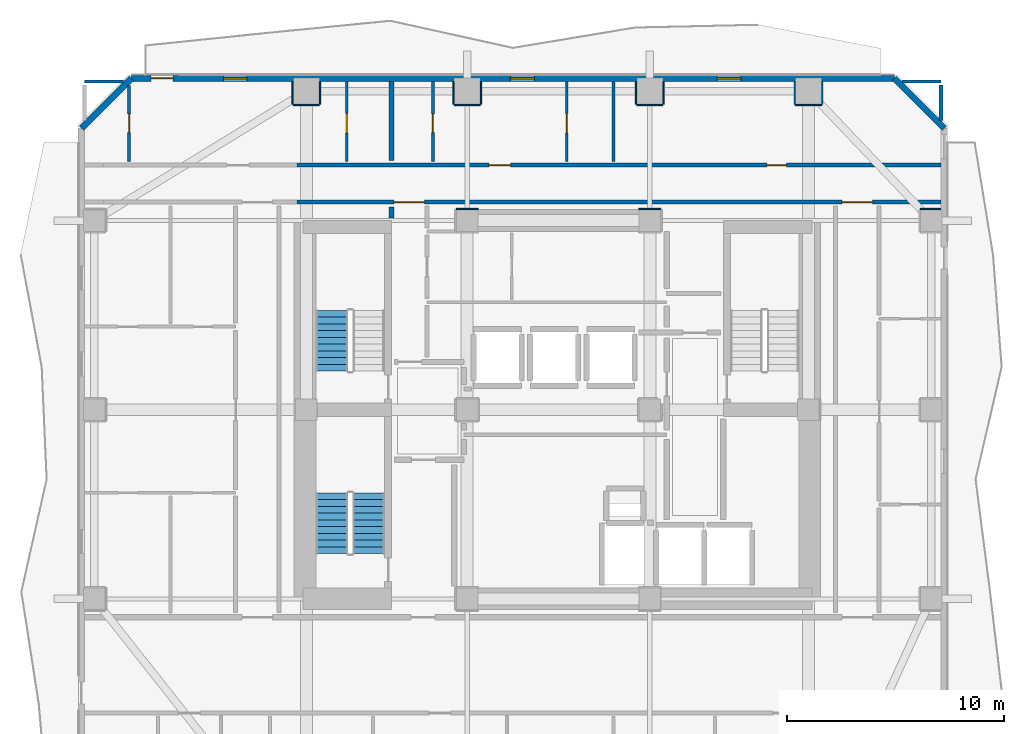
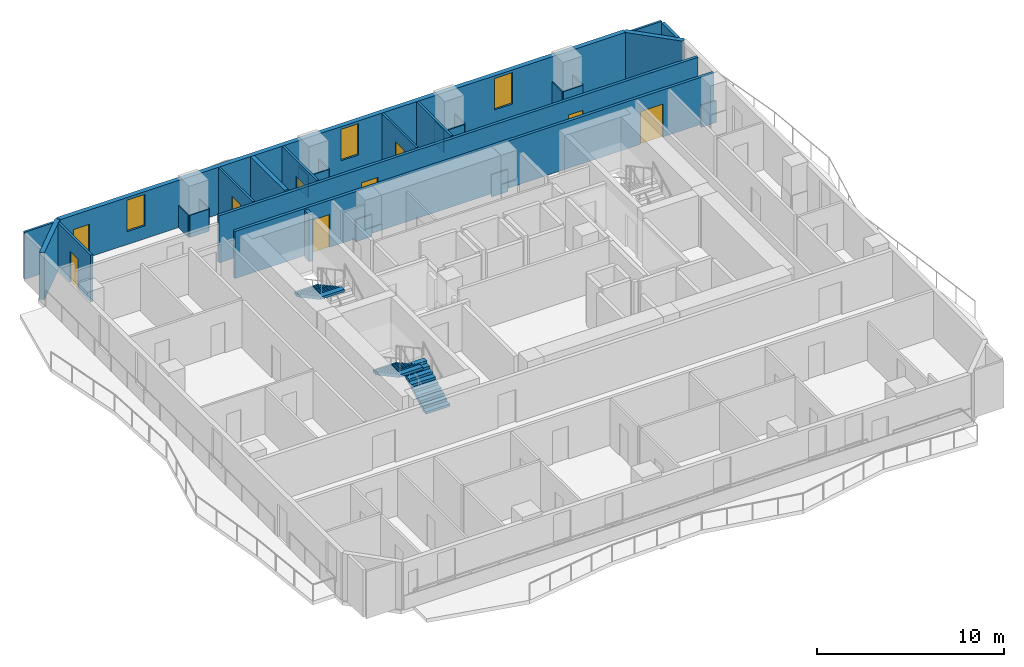
# One storey, part 6 of 11: 30 walls, 9 doors, 3 stair flights, 3 windows, 12 openings, 2 elements without a shape of their own.
"""IFC4 building model written with IfcOpenShell, lengths in metres."""

from ifc_helpers import new_model, si_unit, direction, frame, frame_2d, origin, place, context, subcontext, project, spatial, polyline, rectangle, outline, extrude, material, layer, layer_set, type_object, element, fill, aggregate, save


model = new_model("IFC4")

# Units and contexts
model_context = context("Model", 3, precision=1e-05, world=origin(), true_north=direction((0.0, 1.0)))
body_context = subcontext(model_context, "Body", "Model", "MODEL_VIEW")
ifc_project = project(units=[si_unit("LENGTHUNIT", "METRE"), si_unit("AREAUNIT", "SQUARE_METRE"), si_unit("VOLUMEUNIT", "CUBIC_METRE"), si_unit("PLANEANGLEUNIT", "RADIAN"), si_unit("MASSUNIT", "GRAM", prefix="KILO")], contexts=[model_context])

# Site, building, storey
site_placement = place(None, origin())
site = spatial("IfcSite", under=ifc_project, at=site_placement, CompositionType="ELEMENT")
building_placement = place(site_placement, origin())
building = spatial("IfcBuilding", under=site, at=building_placement, Name="Solanera Arch Residences", CompositionType="ELEMENT")
storey_placement = place(building_placement, frame((0.0, 0.0, 116.0400390625)))
storey = spatial("IfcBuildingStorey", under=building, at=storey_placement, Name="L33", CompositionType="ELEMENT", Elevation=116.0400390625)

# Walls
ifc_material_1 = material(Name="Fire-Rated Gypsum Stud Partition", Category="gypsum")
ifc_layer_1 = layer(ifc_material_1, 0.06005859375)
ifc_layer_set_1 = layer_set([ifc_layer_1], Name="Fire-Rated Gypsum Stud Partition")
wall_type_1 = type_object("IfcWallType", Name="Column Acoustic Furring Wall 60", PredefinedType="PARTITIONING", material=ifc_layer_set_1)
for number, where, z_axis, x_axis, name in (
    (1, (20.300048828125, 39.931884765625, 0.0), (0.0, 0.0, 1.0), (1.0, 0.0, 0.0), "L33 Column Furring 3N"),
    (2, (28.699951171875, 39.931884765625, 0.0), (0.0, 0.0, 1.0), (1.0, 0.0, 0.0), "L33 Column Furring 4N"),
):
    element("IfcWall", number, at=place(storey_placement, frame(where, z_axis=z_axis, x_axis=x_axis)), inside=storey, type_object=wall_type_1, Name=name, PredefinedType="PARTITIONING", context=body_context, shape_type="SweptSolid", body=[
        extrude(rectangle(XDim=1.0, YDim=0.06005859375, at=frame_2d((0.5, 0.0))), origin(), (0.0, 0.0, 1.0), 1.449951171875),
    ])
wall_1_placement = place(storey_placement, frame((12.800048828125, 44.718017578125, 0.0), z_axis=(0.0, 0.0, 1.0), x_axis=(1.0, 0.0, 0.0)))
element("IfcWall", 3, at=wall_1_placement, inside=storey, type_object=wall_type_1, Name="L33 Column Furring 10S", PredefinedType="PARTITIONING", context=body_context, shape_type="SweptSolid", body=[
    extrude(rectangle(XDim=1.199951171875, YDim=0.06005859375, at=frame_2d((0.60009765625, 0.0))), origin(), (0.0, 0.0, 1.0), 1.449951171875),
])
for number, where, z_axis, x_axis, name in (
    (4, (12.76806640625, 44.75, 0.0), (0.0, 0.0, 1.0), (0.0, 1.0, 0.0), "L33 Column Furring 10W"),
    (5, (14.031982421875, 44.75, 0.0), (0.0, 0.0, 1.0), (0.0, 1.0, 0.0), "L33 Column Furring 10E"),
):
    element("IfcWall", number, at=place(storey_placement, frame(where, z_axis=z_axis, x_axis=x_axis)), inside=storey, type_object=wall_type_1, Name=name, PredefinedType="PARTITIONING", context=body_context, shape_type="SweptSolid", body=[
        extrude(rectangle(XDim=1.0400390625, YDim=0.06005859375, at=frame_2d((0.52001953125, 0.0))), origin(), (0.0, 0.0, 1.0), 1.449951171875),
    ])
wall_2_placement = place(storey_placement, frame((20.199951171875, 44.718017578125, 0.0), z_axis=(0.0, 0.0, 1.0), x_axis=(1.0, 0.0, 0.0)))
element("IfcWall", 6, at=wall_2_placement, inside=storey, type_object=wall_type_1, Name="L33 Column Furring 12S", PredefinedType="PARTITIONING", context=body_context, shape_type="SweptSolid", body=[
    extrude(rectangle(XDim=1.199951171875, YDim=0.06005859375, at=frame_2d((0.60009765625, 0.0))), origin(), (0.0, 0.0, 1.0), 1.449951171875),
])
for number, where, z_axis, x_axis, name in (
    (7, (20.16796875, 44.75, 0.0), (0.0, 0.0, 1.0), (0.0, 1.0, 0.0), "L33 Column Furring 12W"),
    (8, (21.431884765625, 44.75, 0.0), (0.0, 0.0, 1.0), (0.0, 1.0, 0.0), "L33 Column Furring 12E"),
):
    element("IfcWall", number, at=place(storey_placement, frame(where, z_axis=z_axis, x_axis=x_axis)), inside=storey, type_object=wall_type_1, Name=name, PredefinedType="PARTITIONING", context=body_context, shape_type="SweptSolid", body=[
        extrude(rectangle(XDim=1.0400390625, YDim=0.06005859375, at=frame_2d((0.52001953125, 0.0))), origin(), (0.0, 0.0, 1.0), 1.449951171875),
    ])
wall_3_placement = place(storey_placement, frame((28.60009765625, 44.718017578125, 0.0), z_axis=(0.0, 0.0, 1.0), x_axis=(1.0, 0.0, 0.0)))
element("IfcWall", 9, at=wall_3_placement, inside=storey, type_object=wall_type_1, Name="L33 Column Furring 14S", PredefinedType="PARTITIONING", context=body_context, shape_type="SweptSolid", body=[
    extrude(rectangle(XDim=1.199951171875, YDim=0.06005859375, at=frame_2d((0.60009765625, 0.0))), origin(), (0.0, 0.0, 1.0), 1.449951171875),
])
for number, where, z_axis, x_axis, name in (
    (10, (28.568115234375, 44.75, 0.0), (0.0, 0.0, 1.0), (0.0, 1.0, 0.0), "L33 Column Furring 14W"),
    (11, (29.83203125, 44.75, 0.0), (0.0, 0.0, 1.0), (0.0, 1.0, 0.0), "L33 Column Furring 14E"),
):
    element("IfcWall", number, at=place(storey_placement, frame(where, z_axis=z_axis, x_axis=x_axis)), inside=storey, type_object=wall_type_1, Name=name, PredefinedType="PARTITIONING", context=body_context, shape_type="SweptSolid", body=[
        extrude(rectangle(XDim=1.0400390625, YDim=0.06005859375, at=frame_2d((0.52001953125, 0.0))), origin(), (0.0, 0.0, 1.0), 1.449951171875),
    ])
wall_4_placement = place(storey_placement, frame((35.89990234375, 44.718017578125, 0.0), z_axis=(0.0, 0.0, 1.0), x_axis=(1.0, 0.0, 0.0)))
element("IfcWall", 12, at=wall_4_placement, inside=storey, type_object=wall_type_1, Name="L33 Column Furring 16S", PredefinedType="PARTITIONING", context=body_context, shape_type="SweptSolid", body=[
    extrude(rectangle(XDim=1.2001953125, YDim=0.06005859375, at=frame_2d((0.60009765625, 0.0))), origin(), (0.0, 0.0, 1.0), 1.449951171875),
])
for number, where, z_axis, x_axis, name in (
    (13, (35.867919921875, 44.75, 0.0), (0.0, 0.0, 1.0), (0.0, 1.0, 0.0), "L33 Column Furring 16W"),
    (14, (37.132080078125, 44.75, 0.0), (0.0, 0.0, 1.0), (0.0, 1.0, 0.0), "L33 Column Furring 16E"),
):
    element("IfcWall", number, at=place(storey_placement, frame(where, z_axis=z_axis, x_axis=x_axis)), inside=storey, type_object=wall_type_1, Name=name, PredefinedType="PARTITIONING", context=body_context, shape_type="SweptSolid", body=[
        extrude(rectangle(XDim=1.0400390625, YDim=0.06005859375, at=frame_2d((0.52001953125, 0.0))), origin(), (0.0, 0.0, 1.0), 1.449951171875),
    ])
wall_5_placement = place(storey_placement, frame((41.64990234375, 39.931884765625, 0.0), z_axis=(0.0, 0.0, 1.0), x_axis=(1.0, 0.0, 0.0)))
element("IfcWall", 15, at=wall_5_placement, inside=storey, type_object=wall_type_1, Name="L33 Column Furring 22N", PredefinedType="PARTITIONING", context=body_context, shape_type="SweptSolid", body=[
    extrude(rectangle(XDim=0.940185546875, YDim=0.06005859375, at=frame_2d((0.47021484375, 0.0))), origin(), (0.0, 0.0, 1.0), 1.449951171875),
])

# Wall, openings, doors
ifc_material_2 = material(Name="Autoclaved Aerated Concrete Blockwork", Category="masonry")
ifc_layer_2 = layer(ifc_material_2, 0.179931640625)
ifc_layer_set_2 = layer_set([ifc_layer_2], Name="Autoclaved Aerated Concrete Blockwork")
wall_type_2 = type_object("IfcWallType", Name="Corridor Fire Partition 180", PredefinedType="PARTITIONING", material=ifc_layer_set_2)
wall_6_placement = place(storey_placement, frame((12.97900390625, 40.25, 0.0), z_axis=(0.0, 0.0, 1.0), x_axis=(1.0, 0.0, 0.0)))
wall_6 = element("IfcWall", 16, at=wall_6_placement, inside=storey, type_object=wall_type_2, Name="L33 Interior Partition H10 3", PredefinedType="PARTITIONING", context=body_context, shape_type="SweptSolid", body=[
    extrude(rectangle(XDim=29.614013671875, YDim=0.179931640625, at=frame_2d((14.80712890625, 0.0))), origin(), (0.0, 0.0, 1.0), 3.080078125),
])
opening_1_placement = place(wall_6_placement, frame((4.4560546875, 0.0, 0.0)))
opening_1 = element("IfcOpeningElement", 17, at=opening_1_placement, cuts=wall_6, Name="Opening DF-03", PredefinedType="OPENING", context=body_context, shape_type="SweptSolid", body=[
    extrude(rectangle(XDim=1.39990234375, YDim=2.14990234375, at=frame_2d((0.699951171875, 1.074951171875))), frame((0.0, 0.10009765625, 0.0), z_axis=(0.0, -1.0, 0.0), x_axis=(1.0, 0.0, 0.0)), (0.0, 0.0, 1.0), 0.1999),
])
opening_2_placement = place(wall_6_placement, frame((25.071044921875, 0.0, 0.0)))
opening_2 = element("IfcOpeningElement", 18, at=opening_2_placement, cuts=wall_6, Name="Opening DF-03", PredefinedType="OPENING", context=body_context, shape_type="SweptSolid", body=[
    extrude(rectangle(XDim=1.39990234375, YDim=2.14990234375, at=frame_2d((0.699951171875, 1.074951171875))), frame((0.0, 0.10009765625, 0.0), z_axis=(0.0, -1.0, 0.0), x_axis=(1.0, 0.0, 0.0)), (0.0, 0.0, 1.0), 0.1999),
])
ifc_material_3 = material(Name="Fire-Rated Architectural Hardwood", Category="wood")
door_type_1 = type_object("IfcDoorType", Name="Corridor Smoke Door DF-03", OperationType="NOTDEFINED", PredefinedType="DOOR", material=ifc_material_3)
door_1_placement = place(opening_1_placement, origin())
door_1 = element("IfcDoor", 19, at=door_1_placement, inside=storey, type_object=door_type_1, Name="DR-L33-IN-009", OperationType="SINGLE_SWING_LEFT", OverallHeight=2.14990234375, OverallWidth=1.39990234375, PredefinedType="DOOR", context=body_context, shape_type="SweptSolid", body=[
    extrude(rectangle(XDim=1.39990234375, YDim=2.14990234375, at=frame_2d((0.699951171875, 1.074951171875))), frame((0.0, 0.02490234375, 0.0), z_axis=(0.0, -1.0, 0.0), x_axis=(1.0, 0.0, 0.0)), (0.0, 0.0, 1.0), 0.050048828125),
])
fill(opening_1, door_1)
door_2_placement = place(opening_2_placement, origin())
door_2 = element("IfcDoor", 20, at=door_2_placement, inside=storey, type_object=door_type_1, Name="DR-L33-IN-013", OperationType="SINGLE_SWING_LEFT", OverallHeight=2.14990234375, OverallWidth=1.39990234375, PredefinedType="DOOR", context=body_context, shape_type="SweptSolid", body=[
    extrude(rectangle(XDim=1.39990234375, YDim=2.14990234375, at=frame_2d((0.699951171875, 1.074951171875))), frame((0.0, 0.02490234375, 0.0), z_axis=(0.0, -1.0, 0.0), x_axis=(1.0, 0.0, 0.0)), (0.0, 0.0, 1.0), 0.050048828125),
])
fill(opening_2, door_2)

wall_7_placement = place(storey_placement, frame((12.97900390625, 41.949951171875, 0.0), z_axis=(0.0, 0.0, 1.0), x_axis=(1.0, 0.0, 0.0)))
wall_7 = element("IfcWall", 21, at=wall_7_placement, inside=storey, type_object=wall_type_2, Name="L33 Interior Partition H11 3", PredefinedType="PARTITIONING", context=body_context, shape_type="SweptSolid", body=[
    extrude(rectangle(XDim=29.614013671875, YDim=0.179931640625, at=frame_2d((14.80712890625, 0.0))), origin(), (0.0, 0.0, 1.0), 3.080078125),
])
opening_3_placement = place(wall_7_placement, frame((8.81591796875, 0.0, 0.0)))
opening_3 = element("IfcOpeningElement", 22, at=opening_3_placement, cuts=wall_7, Name="Opening DI-01", PredefinedType="OPENING", context=body_context, shape_type="SweptSolid", body=[
    extrude(rectangle(XDim=1.0, YDim=2.14990234375, at=frame_2d((0.5, 1.074951171875))), frame((0.0, 0.10009765625, 0.0), z_axis=(0.0, -1.0, 0.0), x_axis=(1.0, 0.0, 0.0)), (0.0, 0.0, 1.0), 0.1999),
])
opening_4_placement = place(wall_7_placement, frame((21.60693359375, 0.0, 0.0)))
opening_4 = element("IfcOpeningElement", 23, at=opening_4_placement, cuts=wall_7, Name="Opening DI-02", PredefinedType="OPENING", context=body_context, shape_type="SweptSolid", body=[
    extrude(rectangle(XDim=0.89990234375, YDim=2.10009765625, at=frame_2d((0.449951171875, 1.050048828125))), frame((0.0, 0.10009765625, 0.0), z_axis=(0.0, -1.0, 0.0), x_axis=(1.0, 0.0, 0.0)), (0.0, 0.0, 1.0), 0.1999),
])
ifc_material_4 = material(Name="Fire-Rated Architectural Hardwood", Category="wood")
door_type_2 = type_object("IfcDoorType", Name="Suite Room Swing Door DI-02", OperationType="NOTDEFINED", PredefinedType="DOOR", material=ifc_material_4)
door_3_placement = place(opening_4_placement, origin())
door_3 = element("IfcDoor", 24, at=door_3_placement, inside=storey, type_object=door_type_2, Name="DR-L33-IN-035", OperationType="SINGLE_SWING_LEFT", OverallHeight=2.10009765625, OverallWidth=0.89990234375, PredefinedType="DOOR", context=body_context, shape_type="SweptSolid", body=[
    extrude(rectangle(XDim=0.89990234375, YDim=2.10009765625, at=frame_2d((0.449951171875, 1.050048828125))), frame((0.0, 0.02490234375, 0.0), z_axis=(0.0, -1.0, 0.0), x_axis=(1.0, 0.0, 0.0)), (0.0, 0.0, 1.0), 0.050048828125),
])
fill(opening_4, door_3)
ifc_material_5 = material(Name="Fire-Rated Architectural Hardwood", Category="wood")
door_type_3 = type_object("IfcDoorType", Name="Unit Entrance Fire Door DI-01", OperationType="NOTDEFINED", PredefinedType="DOOR", material=ifc_material_5)
door_4_placement = place(opening_3_placement, origin())
door_4 = element("IfcDoor", 25, at=door_4_placement, inside=storey, type_object=door_type_3, Name="DR-L33-IN-032", OperationType="SINGLE_SWING_RIGHT", OverallHeight=2.14990234375, OverallWidth=1.0, PredefinedType="DOOR", context=body_context, shape_type="SweptSolid", body=[
    extrude(rectangle(XDim=1.0, YDim=2.14990234375, at=frame_2d((0.5, 1.074951171875))), frame((0.0, 0.02490234375, 0.0), z_axis=(0.0, -1.0, 0.0), x_axis=(1.0, 0.0, 0.0)), (0.0, 0.0, 1.0), 0.050048828125),
])
fill(opening_3, door_4)

# Walls
wall_8_placement = place(storey_placement, frame((42.60009765625, 44.0048828125, 0.0), z_axis=(0.0, 0.0, 1.0), x_axis=(0.0, 1.0, 0.0)))
element("IfcWall", 26, at=wall_8_placement, inside=storey, type_object=wall_type_2, Name="L33 Interior Partition V14 2", PredefinedType="PARTITIONING", context=body_context, shape_type="SweptSolid", body=[
    extrude(rectangle(XDim=1.627197265625, YDim=0.179931640625, at=frame_2d((0.8134765625, 0.0))), origin(), (0.0, 0.0, 1.0), 3.080078125),
])
ifc_material_6 = material(Name="Precast Concrete C35/45", Category="concrete")
ifc_layer_3 = layer(ifc_material_6, 0.280029296875)
ifc_layer_set_3 = layer_set([ifc_layer_3], Name="Precast Concrete C35/45")
wall_type_3 = type_object("IfcWallType", Name="Exterior Wall Precast Masonry-Frame 280", PredefinedType="STANDARD", material=ifc_layer_set_3)
wall_9_placement = place(storey_placement, frame((3.054931640625, 43.64501953125, 0.0), z_axis=(0.0, 0.0, 1.0), x_axis=(0.707106781187, 0.707106781187, 0.0)))
element("IfcWall", 27, at=wall_9_placement, inside=storey, type_object=wall_type_3, Name="L33 Tower Exterior Precast Masonry-Frame Wall CH1", PredefinedType="STANDARD", context=body_context, shape_type="SweptSolid", body=[
    extrude(rectangle(XDim=3.252685546875, YDim=0.280029296875, at=frame_2d((1.62646484375, 0.0))), origin(), (0.0, 0.0, 1.0), 3.080078125),
])

# Wall, openings, door, windows
wall_10_placement = place(storey_placement, frame((5.35498046875, 45.945068359375, 0.0), z_axis=(0.0, 0.0, 1.0), x_axis=(1.0, 0.0, 0.0)))
wall_10 = element("IfcWall", 28, at=wall_10_placement, inside=storey, type_object=wall_type_3, Name="L33 Tower Exterior Precast Masonry-Frame Wall N", PredefinedType="STANDARD", context=body_context, shape_type="SweptSolid", body=[
    extrude(rectangle(XDim=35.090087890625, YDim=0.280029296875, at=frame_2d((17.544921875, 0.0))), origin(), (0.0, 0.0, 1.0), 3.080078125),
])
opening_5_placement = place(wall_10_placement, frame((0.904052734375, 0.0, 0.0)))
opening_5 = element("IfcOpeningElement", 29, at=opening_5_placement, cuts=wall_10, Name="Opening DB-01", PredefinedType="OPENING", context=body_context, shape_type="SweptSolid", body=[
    extrude(rectangle(XDim=1.0, YDim=2.14990234375, at=frame_2d((0.5, 1.074951171875))), frame((0.0, 0.14990234375, 0.0), z_axis=(0.0, -1.0, 0.0), x_axis=(1.0, 0.0, 0.0)), (0.0, 0.0, 1.0), 0.3),
])
opening_6_placement = place(wall_10_placement, frame((4.22412109375, 0.0, 0.85009765625)))
opening_6 = element("IfcOpeningElement", 30, at=opening_6_placement, cuts=wall_10, Name="Opening W-11", PredefinedType="OPENING", context=body_context, shape_type="SweptSolid", body=[
    extrude(rectangle(XDim=1.10009765625, YDim=2.050048828125, at=frame_2d((0.550048828125, 1.02490234375))), frame((0.0, 0.14990234375, 0.0), z_axis=(0.0, -1.0, 0.0), x_axis=(1.0, 0.0, 0.0)), (0.0, 0.0, 1.0), 0.3),
])
opening_7_placement = place(wall_10_placement, frame((17.429931640625, 0.0, 0.85009765625)))
opening_7 = element("IfcOpeningElement", 31, at=opening_7_placement, cuts=wall_10, Name="Opening W-11", PredefinedType="OPENING", context=body_context, shape_type="SweptSolid", body=[
    extrude(rectangle(XDim=1.10009765625, YDim=2.050048828125, at=frame_2d((0.550048828125, 1.02490234375))), frame((0.0, 0.14990234375, 0.0), z_axis=(0.0, -1.0, 0.0), x_axis=(1.0, 0.0, 0.0)), (0.0, 0.0, 1.0), 0.3),
])
opening_8_placement = place(wall_10_placement, frame((26.945068359375, 0.0, 0.85009765625)))
opening_8 = element("IfcOpeningElement", 32, at=opening_8_placement, cuts=wall_10, Name="Opening W-11", PredefinedType="OPENING", context=body_context, shape_type="SweptSolid", body=[
    extrude(rectangle(XDim=1.10009765625, YDim=2.050048828125, at=frame_2d((0.550048828125, 1.02490234375))), frame((0.0, 0.14990234375, 0.0), z_axis=(0.0, -1.0, 0.0), x_axis=(1.0, 0.0, 0.0)), (0.0, 0.0, 1.0), 0.3),
])
ifc_material_7 = material(Name="Anodised Aluminium Alloy 6063-T6", Category="aluminium")
door_type_4 = type_object("IfcDoorType", Name="Glazed Balcony Swing Door DB-01", OperationType="NOTDEFINED", PredefinedType="DOOR", material=ifc_material_7)
door_5_placement = place(opening_5_placement, origin())
door_5 = element("IfcDoor", 33, at=door_5_placement, inside=storey, type_object=door_type_4, Name="DR-L33-OUT-02", OperationType="SINGLE_SWING_RIGHT", OverallHeight=2.14990234375, OverallWidth=1.0, PredefinedType="DOOR", context=body_context, shape_type="SweptSolid", body=[
    extrude(rectangle(XDim=1.0, YDim=2.14990234375, at=frame_2d((0.5, 1.074951171875))), frame((0.0, 0.02490234375, 0.0), z_axis=(0.0, -1.0, 0.0), x_axis=(1.0, 0.0, 0.0)), (0.0, 0.0, 1.0), 0.050048828125),
])
fill(opening_5, door_5)
ifc_material_8 = material(Name="Double Glazed Low-E Laminated Glass", Category="glass")
window_type = type_object("IfcWindowType", Name="Punched Window W-11", PartitioningType="SINGLE_PANEL", PredefinedType="WINDOW", material=ifc_material_8)
window_1_placement = place(opening_6_placement, origin())
window_1 = element("IfcWindow", 34, at=window_1_placement, inside=storey, type_object=window_type, Name="L33 3304-LIV Punched Window", OverallHeight=2.050048828125, OverallWidth=1.10009765625, PartitioningType="SINGLE_PANEL", PredefinedType="WINDOW", context=body_context, shape_type="SweptSolid", body=[
    extrude(rectangle(XDim=1.10009765625, YDim=2.050048828125, at=frame_2d((0.550048828125, 1.02490234375))), frame((0.0, 0.030029296875, 0.0), z_axis=(0.0, -1.0, 0.0), x_axis=(1.0, 0.0, 0.0)), (0.0, 0.0, 1.0), 0.06005859375),
])
fill(opening_6, window_1)
window_2_placement = place(opening_7_placement, origin())
window_2 = element("IfcWindow", 35, at=window_2_placement, inside=storey, type_object=window_type, Name="L33 3305-LIV Punched Window", OverallHeight=2.050048828125, OverallWidth=1.10009765625, PartitioningType="SINGLE_PANEL", PredefinedType="WINDOW", context=body_context, shape_type="SweptSolid", body=[
    extrude(rectangle(XDim=1.10009765625, YDim=2.050048828125, at=frame_2d((0.550048828125, 1.02490234375))), frame((0.0, 0.030029296875, 0.0), z_axis=(0.0, -1.0, 0.0), x_axis=(1.0, 0.0, 0.0)), (0.0, 0.0, 1.0), 0.06005859375),
])
fill(opening_7, window_2)
window_3_placement = place(opening_8_placement, origin())
window_3 = element("IfcWindow", 36, at=window_3_placement, inside=storey, type_object=window_type, Name="L33 AMN-LOUN Punched Window", OverallHeight=2.050048828125, OverallWidth=1.10009765625, PartitioningType="SINGLE_PANEL", PredefinedType="WINDOW", context=body_context, shape_type="SweptSolid", body=[
    extrude(rectangle(XDim=1.10009765625, YDim=2.050048828125, at=frame_2d((0.550048828125, 1.02490234375))), frame((0.0, 0.030029296875, 0.0), z_axis=(0.0, -1.0, 0.0), x_axis=(1.0, 0.0, 0.0)), (0.0, 0.0, 1.0), 0.06005859375),
])
fill(opening_8, window_3)

# Walls
wall_11_placement = place(storey_placement, frame((40.445068359375, 45.945068359375, 0.0), z_axis=(0.0, 0.0, 1.0), x_axis=(0.707106781187, -0.707106781187, 0.0)))
element("IfcWall", 37, at=wall_11_placement, inside=storey, type_object=wall_type_3, Name="L33 Tower Exterior Precast Masonry-Frame Wall CH3", PredefinedType="STANDARD", context=body_context, shape_type="SweptSolid", body=[
    extrude(rectangle(XDim=3.252685546875, YDim=0.280029296875, at=frame_2d((1.62646484375, 0.0))), origin(), (0.0, 0.0, 1.0), 3.080078125),
])
ifc_material_9 = material(Name="Autoclaved Aerated Concrete Blockwork", Category="masonry")
ifc_layer_4 = layer(ifc_material_9, 0.239990234375)
ifc_layer_set_4 = layer_set([ifc_layer_4], Name="Autoclaved Aerated Concrete Blockwork")
wall_type_4 = type_object("IfcWallType", Name="Shaft Wall Fire-Rated 240", PredefinedType="PARTITIONING", material=ifc_layer_set_4)
wall_12_placement = place(storey_placement, frame((17.320068359375, 39.530029296875, 0.0), z_axis=(0.0, 0.0, 1.0), x_axis=(0.0, 1.0, 0.0)))
element("IfcWall", 38, at=wall_12_placement, inside=storey, type_object=wall_type_4, Name="L33 Interior Partition V1", PredefinedType="PARTITIONING", context=body_context, shape_type="SweptSolid", body=[
    extrude(rectangle(XDim=0.501953125, YDim=0.239990234375, at=frame_2d((0.2509765625, 0.0))), origin(), (0.0, 0.0, 1.0), 3.080078125),
])
wall_13_placement = place(storey_placement, frame((17.320068359375, 42.16796875, 0.0), z_axis=(0.0, 0.0, 1.0), x_axis=(0.0, 1.0, 0.0)))
element("IfcWall", 39, at=wall_13_placement, inside=storey, type_object=wall_type_4, Name="L33 Interior Partition V2", PredefinedType="PARTITIONING", context=body_context, shape_type="SweptSolid", body=[
    extrude(rectangle(XDim=3.625, YDim=0.239990234375, at=frame_2d((1.8125, 0.0))), origin(), (0.0, 0.0, 1.0), 3.080078125),
])

# Wall, opening, door
ifc_material_10 = material(Name="Fire-Rated Gypsum Stud Partition", Category="gypsum")
ifc_layer_5 = layer(ifc_material_10, 0.1201171875)
ifc_layer_set_5 = layer_set([ifc_layer_5], Name="Fire-Rated Gypsum Stud Partition")
wall_type_5 = type_object("IfcWallType", Name="Unit Drywall Partition 120", PredefinedType="PARTITIONING", material=ifc_layer_set_5)
wall_14_placement = place(storey_placement, frame((15.260009765625, 42.10791015625, 0.0), z_axis=(0.0, 0.0, 1.0), x_axis=(0.0, 1.0, 0.0)))
wall_14 = element("IfcWall", 40, at=wall_14_placement, inside=storey, type_object=wall_type_5, Name="L33 Interior Partition V26", PredefinedType="PARTITIONING", context=body_context, shape_type="SweptSolid", body=[
    extrude(rectangle(XDim=3.68505859375, YDim=0.1201171875, at=frame_2d((1.842529296875, 0.0))), origin(), (0.0, 0.0, 1.0), 3.080078125),
])
opening_9_placement = place(wall_14_placement, frame((1.31689453125, 0.0, 0.0)))
opening_9 = element("IfcOpeningElement", 41, at=opening_9_placement, cuts=wall_14, Name="Opening DI-02", PredefinedType="OPENING", context=body_context, shape_type="SweptSolid", body=[
    extrude(rectangle(XDim=0.89990234375, YDim=2.10009765625, at=frame_2d((0.449951171875, 1.050048828125))), frame((0.0, 0.070068359375, 0.0), z_axis=(0.0, -1.0, 0.0), x_axis=(1.0, 0.0, 0.0)), (0.0, 0.0, 1.0), 0.1401),
])
door_6_placement = place(opening_9_placement, origin())
door_6 = element("IfcDoor", 42, at=door_6_placement, inside=storey, type_object=door_type_2, Name="DR-L33-IN-031", OperationType="SINGLE_SWING_LEFT", OverallHeight=2.10009765625, OverallWidth=0.89990234375, PredefinedType="DOOR", context=body_context, shape_type="SweptSolid", body=[
    extrude(rectangle(XDim=0.89990234375, YDim=2.10009765625, at=frame_2d((0.449951171875, 1.050048828125))), frame((0.0, 0.02490234375, 0.0), z_axis=(0.0, -1.0, 0.0), x_axis=(1.0, 0.0, 0.0)), (0.0, 0.0, 1.0), 0.050048828125),
])
fill(opening_9, door_6)

wall_15_placement = place(storey_placement, frame((25.3701171875, 42.10791015625, 0.0), z_axis=(0.0, 0.0, 1.0), x_axis=(0.0, 1.0, 0.0)))
wall_15 = element("IfcWall", 43, at=wall_15_placement, inside=storey, type_object=wall_type_5, Name="L33 Interior Partition V29", PredefinedType="PARTITIONING", context=body_context, shape_type="SweptSolid", body=[
    extrude(rectangle(XDim=3.68505859375, YDim=0.1201171875, at=frame_2d((1.842529296875, 0.0))), origin(), (0.0, 0.0, 1.0), 3.080078125),
])
opening_10_placement = place(wall_15_placement, frame((1.31689453125, 0.0, 0.0)))
opening_10 = element("IfcOpeningElement", 44, at=opening_10_placement, cuts=wall_15, Name="Opening DI-02", PredefinedType="OPENING", context=body_context, shape_type="SweptSolid", body=[
    extrude(rectangle(XDim=0.89990234375, YDim=2.10009765625, at=frame_2d((0.449951171875, 1.050048828125))), frame((0.0, 0.070068359375, 0.0), z_axis=(0.0, -1.0, 0.0), x_axis=(1.0, 0.0, 0.0)), (0.0, 0.0, 1.0), 0.1401),
])
door_7_placement = place(opening_10_placement, origin())
door_7 = element("IfcDoor", 45, at=door_7_placement, inside=storey, type_object=door_type_2, Name="DR-L33-IN-034", OperationType="SINGLE_SWING_RIGHT", OverallHeight=2.10009765625, OverallWidth=0.89990234375, PredefinedType="DOOR", context=body_context, shape_type="SweptSolid", body=[
    extrude(rectangle(XDim=0.89990234375, YDim=2.10009765625, at=frame_2d((0.449951171875, 1.050048828125))), frame((0.0, 0.02490234375, 0.0), z_axis=(0.0, -1.0, 0.0), x_axis=(1.0, 0.0, 0.0)), (0.0, 0.0, 1.0), 0.050048828125),
])
fill(opening_10, door_7)

# Walls
ifc_material_11 = material(Name="Autoclaved Aerated Concrete Blockwork", Category="masonry")
ifc_layer_6 = layer(ifc_material_11, 0.139892578125)
ifc_layer_set_6 = layer_set([ifc_layer_6], Name="Autoclaved Aerated Concrete Blockwork")
wall_type_6 = type_object("IfcWallType", Name="Wet-Room Partition 140", PredefinedType="PARTITIONING", material=ifc_layer_set_6)
for number, where, z_axis, x_axis, name in (
    (46, (3.199951171875, 45.800048828125, 0.0), (0.0, 0.0, 1.0), (1.0, 0.0, 0.0), "L33 Interior Partition H17 1"),
    (47, (40.804931640625, 45.800048828125, 0.0), (0.0, 0.0, 1.0), (1.0, 0.0, 0.0), "L33 Interior Partition H17 2"),
):
    element("IfcWall", number, at=place(storey_placement, frame(where, z_axis=z_axis, x_axis=x_axis)), inside=storey, type_object=wall_type_6, Name=name, PredefinedType="PARTITIONING", context=body_context, shape_type="SweptSolid", body=[
        extrude(rectangle(XDim=1.795166015625, YDim=0.139892578125, at=frame_2d((0.8974609375, 0.0))), origin(), (0.0, 0.0, 1.0), 3.080078125),
    ])

# Wall, opening, door
wall_16_placement = place(storey_placement, frame((5.25, 42.117919921875, 0.0), z_axis=(0.0, 0.0, 1.0), x_axis=(0.0, 1.0, 0.0)))
wall_16 = element("IfcWall", 48, at=wall_16_placement, inside=storey, type_object=wall_type_6, Name="L33 Interior Partition V15", PredefinedType="PARTITIONING", context=body_context, shape_type="SweptSolid", body=[
    extrude(rectangle(XDim=3.507080078125, YDim=0.139892578125, at=frame_2d((1.75341796875, 0.0))), origin(), (0.0, 0.0, 1.0), 3.080078125),
])
opening_11_placement = place(wall_16_placement, frame((1.326904296875, 0.0, 0.0)))
opening_11 = element("IfcOpeningElement", 49, at=opening_11_placement, cuts=wall_16, Name="Opening DI-05", PredefinedType="OPENING", context=body_context, shape_type="SweptSolid", body=[
    extrude(rectangle(XDim=0.860107421875, YDim=2.02001953125, at=frame_2d((0.43017578125, 1.010009765625))), frame((0.0, 0.079833984375, 0.0), z_axis=(0.0, -1.0, 0.0), x_axis=(1.0, 0.0, 0.0)), (0.0, 0.0, 1.0), 0.1599),
])
ifc_material_12 = material(Name="Fire-Rated Architectural Hardwood", Category="wood")
door_type_5 = type_object("IfcDoorType", Name="Bathroom Swing Door DI-05", OperationType="NOTDEFINED", PredefinedType="DOOR", material=ifc_material_12)
door_8_placement = place(opening_11_placement, origin())
door_8 = element("IfcDoor", 50, at=door_8_placement, inside=storey, type_object=door_type_5, Name="DR-L33-IN-030", OperationType="SINGLE_SWING_RIGHT", OverallHeight=2.02001953125, OverallWidth=0.860107421875, PredefinedType="DOOR", context=body_context, shape_type="SweptSolid", body=[
    extrude(rectangle(XDim=0.860107421875, YDim=2.02001953125, at=frame_2d((0.43017578125, 1.010009765625))), frame((0.0, 0.02490234375, 0.0), z_axis=(0.0, -1.0, 0.0), x_axis=(1.0, 0.0, 0.0)), (0.0, 0.0, 1.0), 0.050048828125),
])
fill(opening_11, door_8)

wall_17_placement = place(storey_placement, frame((19.219970703125, 42.117919921875, 0.0), z_axis=(0.0, 0.0, 1.0), x_axis=(0.0, 1.0, 0.0)))
wall_17 = element("IfcWall", 51, at=wall_17_placement, inside=storey, type_object=wall_type_6, Name="L33 Interior Partition V21", PredefinedType="PARTITIONING", context=body_context, shape_type="SweptSolid", body=[
    extrude(rectangle(XDim=3.675048828125, YDim=0.139892578125, at=frame_2d((1.83740234375, 0.0))), origin(), (0.0, 0.0, 1.0), 3.080078125),
])
opening_12_placement = place(wall_17_placement, frame((1.326904296875, 0.0, 0.0)))
opening_12 = element("IfcOpeningElement", 52, at=opening_12_placement, cuts=wall_17, Name="Opening DI-05", PredefinedType="OPENING", context=body_context, shape_type="SweptSolid", body=[
    extrude(rectangle(XDim=0.860107421875, YDim=2.02001953125, at=frame_2d((0.43017578125, 1.010009765625))), frame((0.0, 0.079833984375, 0.0), z_axis=(0.0, -1.0, 0.0), x_axis=(1.0, 0.0, 0.0)), (0.0, 0.0, 1.0), 0.1599),
])
door_9_placement = place(opening_12_placement, origin())
door_9 = element("IfcDoor", 53, at=door_9_placement, inside=storey, type_object=door_type_5, Name="DR-L33-IN-033", OperationType="SINGLE_SWING_LEFT", OverallHeight=2.02001953125, OverallWidth=0.860107421875, PredefinedType="DOOR", context=body_context, shape_type="SweptSolid", body=[
    extrude(rectangle(XDim=0.860107421875, YDim=2.02001953125, at=frame_2d((0.43017578125, 1.010009765625))), frame((0.0, 0.02490234375, 0.0), z_axis=(0.0, -1.0, 0.0), x_axis=(1.0, 0.0, 0.0)), (0.0, 0.0, 1.0), 0.050048828125),
])
fill(opening_12, door_9)

# Wall
wall_18_placement = place(storey_placement, frame((27.52001953125, 42.117919921875, 0.0), z_axis=(0.0, 0.0, 1.0), x_axis=(0.0, 1.0, 0.0)))
element("IfcWall", 54, at=wall_18_placement, inside=storey, type_object=wall_type_6, Name="L33 Interior Partition V23", PredefinedType="PARTITIONING", context=body_context, shape_type="SweptSolid", body=[
    extrude(rectangle(XDim=3.675048828125, YDim=0.139892578125, at=frame_2d((1.83740234375, 0.0))), origin(), (0.0, 0.0, 1.0), 3.080078125),
])

# Stair, stair flight
ifc_material_13 = material(Name="Concrete C40/50 (f'c = 45 MPa)", Category="concrete")
stair_type = type_object("IfcStairType", Name="Tower Dogleg Exit Stair 1480", PredefinedType="HALF_TURN_STAIR", material=ifc_material_13)
stair_1_placement = place(storey_placement, origin())
stair_1 = element("IfcStair", 55, at=stair_1_placement, inside=storey, type_object=stair_type, Name="L33 Tower Core Exit Stair 1", PredefinedType="HALF_TURN_STAIR")
ifc_material_14 = material(Name="Concrete C40/50 (f'c = 45 MPa)", Category="concrete")
stair_flight_type = type_object("IfcStairFlightType", Name="Tower Precast Stair Flight 1480", PredefinedType="STRAIGHT", material=ifc_material_14)
stair_flight_1_placement = place(storey_placement, frame((14.580078125, 35.27001953125, 1.659912109375), z_axis=(0.0, 0.0, 1.0), x_axis=(0.0, -1.0, 0.0)))
stair_flight_1 = element("IfcStairFlight", 56, at=stair_flight_1_placement, type_object=stair_flight_type, Name="ST-T1 flight 2", NumberOfRisers=10, NumberOfTreads=9, PredefinedType="STRAIGHT", RiserHeight=0.166, TreadLength=0.31, context=body_context, shape_type="SweptSolid", body=[
    extrude(outline(polyline([(0.0, 0.0), (0.0, 0.166015625), (0.31005859375, 0.166015625), (0.31005859375, 0.33203125), (0.6201171875, 0.33203125), (0.6201171875, 0.498046875), (0.929931640625, 0.498046875), (0.929931640625, 0.6640625), (1.239990234375, 0.6640625), (1.239990234375, 0.830078125), (1.550048828125, 0.830078125), (1.550048828125, 0.99609375), (1.860107421875, 0.99609375), (1.860107421875, 1.162109375), (2.169921875, 1.162109375), (2.169921875, 1.327880859375), (2.47998046875, 1.327880859375), (2.47998046875, 1.493896484375), (2.7900390625, 1.493896484375), (2.7900390625, 1.659912109375), (2.7900390625, 1.323974609375), (0.317626953125, 0.0), (0.0, 0.0)])), frame((0.0, 0.739990234375, 0.0), z_axis=(0.0, -1.0, 0.0), x_axis=(1.0, 0.0, 0.0)), (0.0, 0.0, 1.0), 1.47998046875),
])
aggregate(stair_1, [stair_flight_1])

# Stair, stair flights
stair_2_placement = place(storey_placement, origin())
stair_2 = element("IfcStair", 57, at=stair_2_placement, inside=storey, type_object=stair_type, Name="L33 Tower Core Exit Stair 3", PredefinedType="HALF_TURN_STAIR")
stair_flight_2_placement = place(storey_placement, frame((16.260009765625, 24.080078125, 0.0), z_axis=(0.0, 0.0, 1.0), x_axis=(0.0, 1.0, 0.0)))
stair_flight_2 = element("IfcStairFlight", 58, at=stair_flight_2_placement, type_object=stair_flight_type, Name="ST-T3 flight 1", NumberOfRisers=10, NumberOfTreads=9, PredefinedType="STRAIGHT", RiserHeight=0.166, TreadLength=0.31, context=body_context, shape_type="SweptSolid", body=[
    extrude(outline(polyline([(0.0, 0.0), (0.0, 0.166015625), (0.31005859375, 0.166015625), (0.31005859375, 0.33203125), (0.6201171875, 0.33203125), (0.6201171875, 0.498046875), (0.929931640625, 0.498046875), (0.929931640625, 0.6640625), (1.239990234375, 0.6640625), (1.239990234375, 0.830078125), (1.550048828125, 0.830078125), (1.550048828125, 0.99609375), (1.860107421875, 0.99609375), (1.860107421875, 1.162109375), (2.169921875, 1.162109375), (2.169921875, 1.327880859375), (2.47998046875, 1.327880859375), (2.47998046875, 1.493896484375), (2.7900390625, 1.493896484375), (2.7900390625, 1.659912109375), (2.7900390625, 1.323974609375), (0.317626953125, 0.0), (0.0, 0.0)])), frame((0.0, 0.739990234375, 0.0), z_axis=(0.0, -1.0, 0.0), x_axis=(1.0, 0.0, 0.0)), (0.0, 0.0, 1.0), 1.47998046875),
])
stair_flight_3_placement = place(storey_placement, frame((14.580078125, 26.8701171875, 1.659912109375), z_axis=(0.0, 0.0, 1.0), x_axis=(0.0, -1.0, 0.0)))
stair_flight_3 = element("IfcStairFlight", 59, at=stair_flight_3_placement, type_object=stair_flight_type, Name="ST-T3 flight 2", NumberOfRisers=10, NumberOfTreads=9, PredefinedType="STRAIGHT", RiserHeight=0.166, TreadLength=0.31, context=body_context, shape_type="SweptSolid", body=[
    extrude(outline(polyline([(0.0, 0.0), (0.0, 0.166015625), (0.31005859375, 0.166015625), (0.31005859375, 0.33203125), (0.6201171875, 0.33203125), (0.6201171875, 0.498046875), (0.929931640625, 0.498046875), (0.929931640625, 0.6640625), (1.239990234375, 0.6640625), (1.239990234375, 0.830078125), (1.550048828125, 0.830078125), (1.550048828125, 0.99609375), (1.860107421875, 0.99609375), (1.860107421875, 1.162109375), (2.169921875, 1.162109375), (2.169921875, 1.327880859375), (2.47998046875, 1.327880859375), (2.47998046875, 1.493896484375), (2.7900390625, 1.493896484375), (2.7900390625, 1.659912109375), (2.7900390625, 1.323974609375), (0.317626953125, 0.0), (0.0, 0.0)])), frame((0.0, 0.739990234375, 0.0), z_axis=(0.0, -1.0, 0.0), x_axis=(1.0, 0.0, 0.0)), (0.0, 0.0, 1.0), 1.47998046875),
])
aggregate(stair_2, [stair_flight_2, stair_flight_3])

save(model, "model.ifc")
